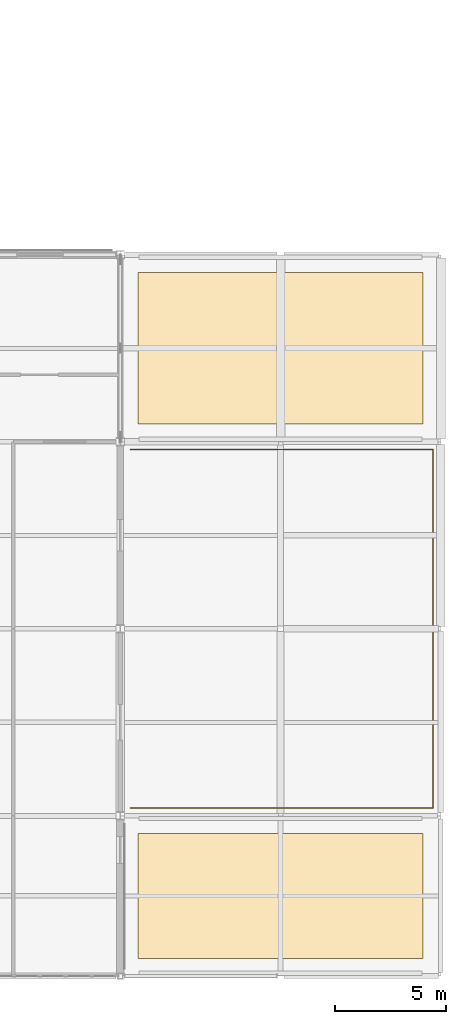
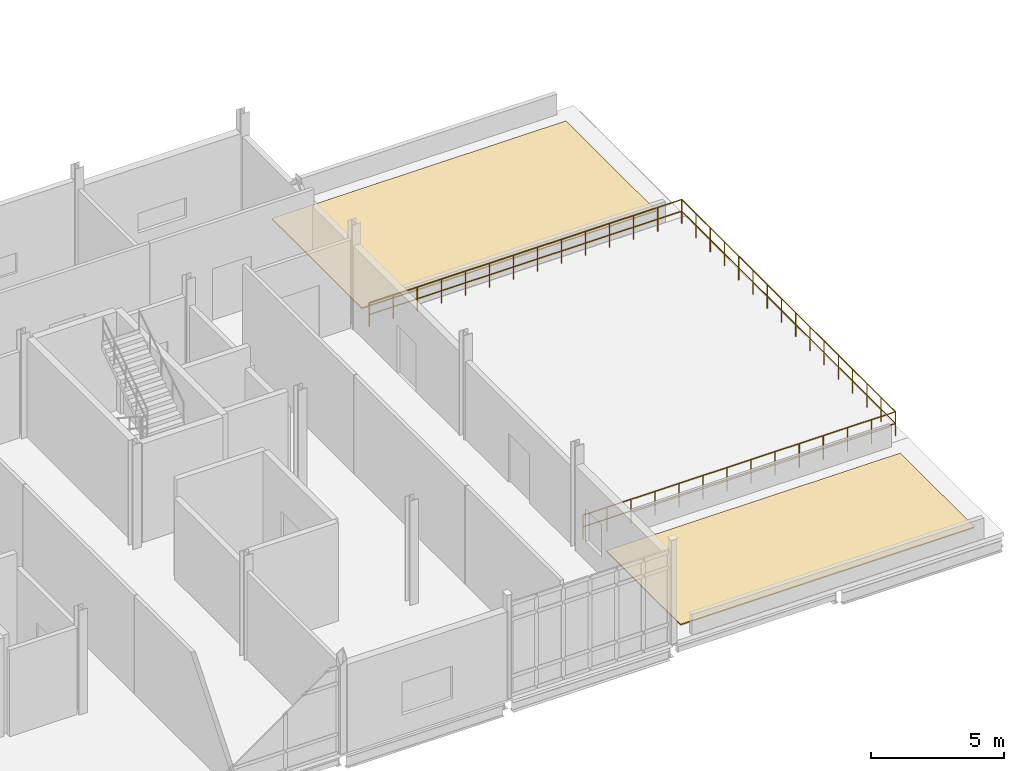
# One storey, part 72 of 72: 2 coverings, 1 railing.
"""IFC4 building model written with IfcOpenShell, lengths in metres."""

from ifc_helpers import new_model, si_unit, direction, frame, origin, origin_2d, place, context, subcontext, project, spatial, polyline, circle, outline, extrude, material, layer, layer_set, type_object, element, save


model = new_model("IFC4")

# Units and contexts
model_context = context("Model", 3, precision=1e-05, world=origin(), true_north=direction((0.0, 1.0)))
body_context = subcontext(model_context, "Body", "Model", "MODEL_VIEW")
ifc_project = project(units=[si_unit("LENGTHUNIT", "METRE"), si_unit("AREAUNIT", "SQUARE_METRE"), si_unit("VOLUMEUNIT", "CUBIC_METRE"), si_unit("PLANEANGLEUNIT", "RADIAN"), si_unit("MASSUNIT", "GRAM", prefix="KILO")], contexts=[model_context])

# Site, building, storey
site_placement = place(None, origin())
site = spatial("IfcSite", under=ifc_project, at=site_placement, CompositionType="ELEMENT")
building_placement = place(site_placement, origin())
building = spatial("IfcBuilding", under=site, at=building_placement, Name="Calvrana Isthmian Art Gallery", CompositionType="ELEMENT")
storey_placement = place(building_placement, frame((0.0, 0.0, 15.0)))
storey = spatial("IfcBuildingStorey", under=building, at=storey_placement, Name="L03", CompositionType="ELEMENT", Elevation=15.0)

# Coverings
ifc_material_1 = material(Name="Standing-seam zinc-aluminium roofing", Category="aluminium")
ifc_layer = layer(ifc_material_1, 0.050048828125, Name="Standing-seam zinc-aluminium roofing")
ifc_layer_set = layer_set([ifc_layer], Name="Standing-seam zinc-aluminium roofing")
covering_type = type_object("IfcCoveringType", Name="COV-ROOF-ZINC", PredefinedType="ROOFING", material=ifc_layer_set)
covering_1_placement = place(storey_placement, origin())
element("IfcCovering", 1, at=covering_1_placement, inside=storey, type_object=covering_type, Name="Insulated roof membrane ROOF_V4ES_L03", PredefinedType="ROOFING", context=body_context, shape_type="SweptSolid", body=[
    extrude(outline(polyline([(142.39990234375, 15.199951171875), (155.199951171875, 15.199951171875), (155.199951171875, 20.800048828125), (142.39990234375, 20.800048828125), (142.39990234375, 15.199951171875)])), origin(), (0.0, 0.0, 1.0), 0.050048828125),
])
covering_2_placement = place(storey_placement, origin())
element("IfcCovering", 2, at=covering_2_placement, inside=storey, type_object=covering_type, Name="Insulated roof membrane ROOF_V4EN_L03", PredefinedType="ROOFING", context=body_context, shape_type="SweptSolid", body=[
    extrude(outline(polyline([(142.39990234375, 39.199951171875), (155.199951171875, 39.199951171875), (155.199951171875, 46.0), (142.39990234375, 46.0), (142.39990234375, 39.199951171875)])), origin(), (0.0, 0.0, 1.0), 0.050048828125),
])

# Railing
ifc_material_2 = material(Name="Anodized bronze aluminium 6063-T6", Category="aluminium")
railing_type = type_object("IfcRailingType", Name="RL-BAL-1120", PredefinedType="BALUSTRADE", material=ifc_material_2)
railing_placement = place(storey_placement, frame((142.050048828125, 21.949951171875, 0.0)))
element("IfcRailing", 3, at=railing_placement, inside=storey, type_object=railing_type, Name="Terrace balustrade GR-T05", PredefinedType="BALUSTRADE", context=body_context, shape_type="SweptSolid", body=[
    extrude(circle(Radius=0.02392578125, at=origin_2d()), frame((0.0, 0.0, 1.09619140625), z_axis=(1.0, 0.0, 0.0), x_axis=(0.0, 1.0, 0.0)), (0.0, 0.0, 1.0), 13.599853515625),
    extrude(circle(Radius=0.02392578125, at=origin_2d()), frame((0.0, 0.0, 0.56005859375), z_axis=(1.0, 0.0, 0.0), x_axis=(0.0, 1.0, 0.0)), (0.0, 0.0, 1.0), 13.599853515625),
    extrude(circle(Radius=0.02392578125, at=origin_2d()), frame((13.599853515625, 0.0, 1.09619140625), z_axis=(0.0, 1.0, 0.0), x_axis=(-1.0, 0.0, 0.0)), (0.0, 0.0, 1.0), 16.10009765625),
    extrude(circle(Radius=0.02392578125, at=origin_2d()), frame((13.599853515625, 0.0, 0.56005859375), z_axis=(0.0, 1.0, 0.0), x_axis=(-1.0, 0.0, 0.0)), (0.0, 0.0, 1.0), 16.10009765625),
    extrude(circle(Radius=0.02392578125, at=origin_2d()), frame((13.599853515625, 16.10009765625, 1.09619140625), z_axis=(-1.0, 0.0, 0.0), x_axis=(0.0, -1.0, 0.0)), (0.0, 0.0, 1.0), 13.599853515625),
    extrude(circle(Radius=0.02392578125, at=origin_2d()), frame((13.599853515625, 16.10009765625, 0.56005859375), z_axis=(-1.0, 0.0, 0.0), x_axis=(0.0, -1.0, 0.0)), (0.0, 0.0, 1.0), 13.599853515625),
    extrude(circle(Radius=0.02099609375, at=origin_2d()), origin(), (0.0, 0.0, 1.0), 1.072021484375),
    extrude(circle(Radius=0.02099609375, at=origin_2d()), frame((1.046142578125, 0.0, 0.0)), (0.0, 0.0, 1.0), 1.072021484375),
    extrude(circle(Radius=0.02099609375, at=origin_2d()), frame((2.09228515625, 0.0, 0.0)), (0.0, 0.0, 1.0), 1.072021484375),
    extrude(circle(Radius=0.02099609375, at=origin_2d()), frame((3.138427734375, 0.0, 0.0)), (0.0, 0.0, 1.0), 1.072021484375),
    extrude(circle(Radius=0.02099609375, at=origin_2d()), frame((4.1845703125, 0.0, 0.0)), (0.0, 0.0, 1.0), 1.072021484375),
    extrude(circle(Radius=0.02099609375, at=origin_2d()), frame((5.230712890625, 0.0, 0.0)), (0.0, 0.0, 1.0), 1.072021484375),
    extrude(circle(Radius=0.02099609375, at=origin_2d()), frame((6.27685546875, 0.0, 0.0)), (0.0, 0.0, 1.0), 1.072021484375),
    extrude(circle(Radius=0.02099609375, at=origin_2d()), frame((7.322998046875, 0.0, 0.0)), (0.0, 0.0, 1.0), 1.072021484375),
    extrude(circle(Radius=0.02099609375, at=origin_2d()), frame((8.369140625, 0.0, 0.0)), (0.0, 0.0, 1.0), 1.072021484375),
    extrude(circle(Radius=0.02099609375, at=origin_2d()), frame((9.415283203125, 0.0, 0.0)), (0.0, 0.0, 1.0), 1.072021484375),
    extrude(circle(Radius=0.02099609375, at=origin_2d()), frame((10.46142578125, 0.0, 0.0)), (0.0, 0.0, 1.0), 1.072021484375),
    extrude(circle(Radius=0.02099609375, at=origin_2d()), frame((11.507568359375, 0.0, 0.0)), (0.0, 0.0, 1.0), 1.072021484375),
    extrude(circle(Radius=0.02099609375, at=origin_2d()), frame((12.5537109375, 0.0, 0.0)), (0.0, 0.0, 1.0), 1.072021484375),
    extrude(circle(Radius=0.02099609375, at=origin_2d()), frame((13.599853515625, 0.0, 0.0)), (0.0, 0.0, 1.0), 1.072021484375),
    extrude(circle(Radius=0.02099609375, at=origin_2d()), frame((13.599853515625, 1.0732421875, 0.0)), (0.0, 0.0, 1.0), 1.072021484375),
    extrude(circle(Radius=0.02099609375, at=origin_2d()), frame((13.599853515625, 2.146728515625, 0.0)), (0.0, 0.0, 1.0), 1.072021484375),
    extrude(circle(Radius=0.02099609375, at=origin_2d()), frame((13.599853515625, 3.219970703125, 0.0)), (0.0, 0.0, 1.0), 1.072021484375),
    extrude(circle(Radius=0.02099609375, at=origin_2d()), frame((13.599853515625, 4.29345703125, 0.0)), (0.0, 0.0, 1.0), 1.072021484375),
    extrude(circle(Radius=0.02099609375, at=origin_2d()), frame((13.599853515625, 5.36669921875, 0.0)), (0.0, 0.0, 1.0), 1.072021484375),
    extrude(circle(Radius=0.02099609375, at=origin_2d()), frame((13.599853515625, 6.43994140625, 0.0)), (0.0, 0.0, 1.0), 1.072021484375),
    extrude(circle(Radius=0.02099609375, at=origin_2d()), frame((13.599853515625, 7.513427734375, 0.0)), (0.0, 0.0, 1.0), 1.072021484375),
    extrude(circle(Radius=0.02099609375, at=origin_2d()), frame((13.599853515625, 8.586669921875, 0.0)), (0.0, 0.0, 1.0), 1.072021484375),
    extrude(circle(Radius=0.02099609375, at=origin_2d()), frame((13.599853515625, 9.66015625, 0.0)), (0.0, 0.0, 1.0), 1.072021484375),
    extrude(circle(Radius=0.02099609375, at=origin_2d()), frame((13.599853515625, 10.7333984375, 0.0)), (0.0, 0.0, 1.0), 1.072021484375),
    extrude(circle(Radius=0.02099609375, at=origin_2d()), frame((13.599853515625, 11.806640625, 0.0)), (0.0, 0.0, 1.0), 1.072021484375),
    extrude(circle(Radius=0.02099609375, at=origin_2d()), frame((13.599853515625, 12.880126953125, 0.0)), (0.0, 0.0, 1.0), 1.072021484375),
    extrude(circle(Radius=0.02099609375, at=origin_2d()), frame((13.599853515625, 13.953369140625, 0.0)), (0.0, 0.0, 1.0), 1.072021484375),
    extrude(circle(Radius=0.02099609375, at=origin_2d()), frame((13.599853515625, 15.02685546875, 0.0)), (0.0, 0.0, 1.0), 1.072021484375),
    extrude(circle(Radius=0.02099609375, at=origin_2d()), frame((13.599853515625, 16.10009765625, 0.0)), (0.0, 0.0, 1.0), 1.072021484375),
    extrude(circle(Radius=0.02099609375, at=origin_2d()), frame((12.5537109375, 16.10009765625, 0.0)), (0.0, 0.0, 1.0), 1.072021484375),
    extrude(circle(Radius=0.02099609375, at=origin_2d()), frame((11.507568359375, 16.10009765625, 0.0)), (0.0, 0.0, 1.0), 1.072021484375),
    extrude(circle(Radius=0.02099609375, at=origin_2d()), frame((10.46142578125, 16.10009765625, 0.0)), (0.0, 0.0, 1.0), 1.072021484375),
    extrude(circle(Radius=0.02099609375, at=origin_2d()), frame((9.415283203125, 16.10009765625, 0.0)), (0.0, 0.0, 1.0), 1.072021484375),
    extrude(circle(Radius=0.02099609375, at=origin_2d()), frame((8.369140625, 16.10009765625, 0.0)), (0.0, 0.0, 1.0), 1.072021484375),
    extrude(circle(Radius=0.02099609375, at=origin_2d()), frame((7.322998046875, 16.10009765625, 0.0)), (0.0, 0.0, 1.0), 1.072021484375),
    extrude(circle(Radius=0.02099609375, at=origin_2d()), frame((6.27685546875, 16.10009765625, 0.0)), (0.0, 0.0, 1.0), 1.072021484375),
    extrude(circle(Radius=0.02099609375, at=origin_2d()), frame((5.230712890625, 16.10009765625, 0.0)), (0.0, 0.0, 1.0), 1.072021484375),
    extrude(circle(Radius=0.02099609375, at=origin_2d()), frame((4.1845703125, 16.10009765625, 0.0)), (0.0, 0.0, 1.0), 1.072021484375),
    extrude(circle(Radius=0.02099609375, at=origin_2d()), frame((3.138427734375, 16.10009765625, 0.0)), (0.0, 0.0, 1.0), 1.072021484375),
    extrude(circle(Radius=0.02099609375, at=origin_2d()), frame((2.09228515625, 16.10009765625, 0.0)), (0.0, 0.0, 1.0), 1.072021484375),
    extrude(circle(Radius=0.02099609375, at=origin_2d()), frame((1.046142578125, 16.10009765625, 0.0)), (0.0, 0.0, 1.0), 1.072021484375),
    extrude(circle(Radius=0.02099609375, at=origin_2d()), frame((0.0, 16.10009765625, 0.0)), (0.0, 0.0, 1.0), 1.072021484375),
])

save(model, "model.ifc")
